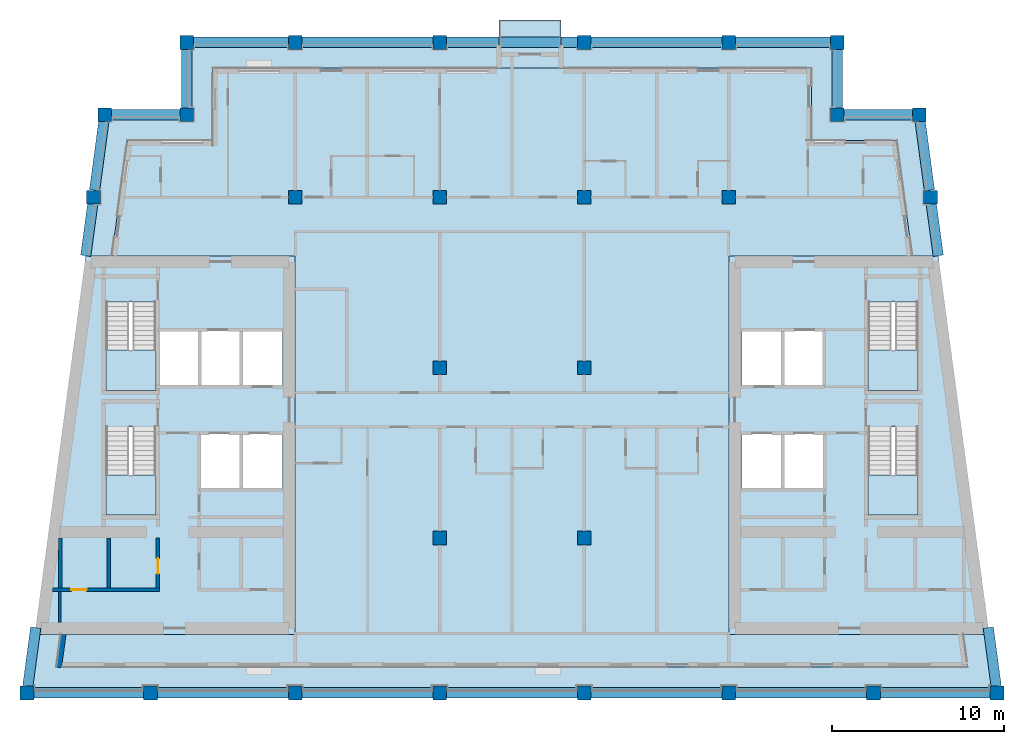
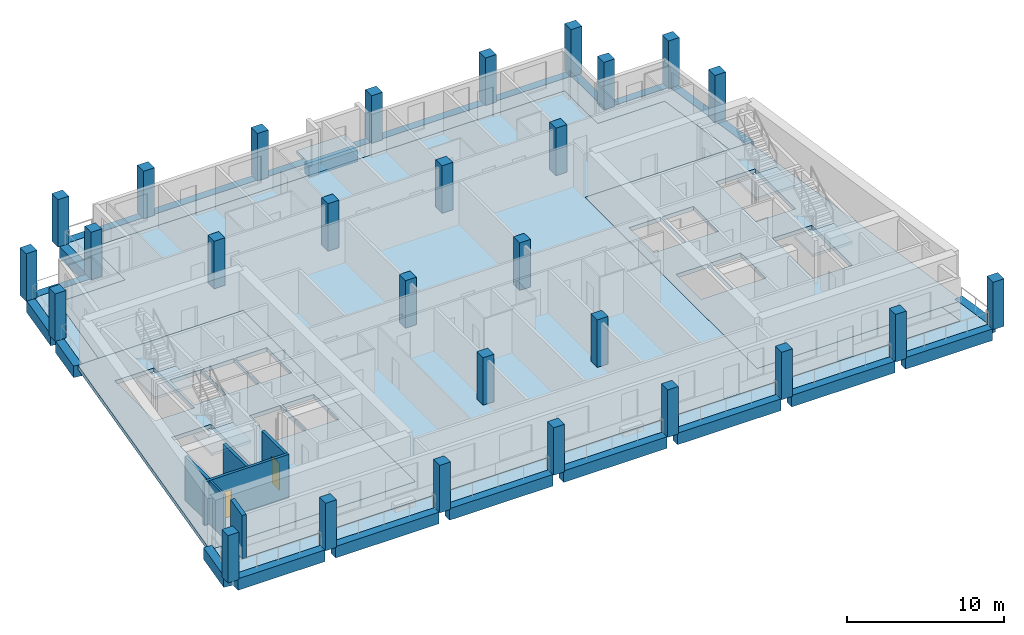
# One storey, part 1 of 13: 28 columns, 24 beams, 10 slabs, 6 walls, 2 doors, 2 openings, 4 elements without a shape of their own.
"""IFC4 building model written with IfcOpenShell, lengths in metres."""

from ifc_helpers import new_model, si_unit, direction, frame, frame_2d, origin, origin_2d, place, context, subcontext, project, spatial, polyline, rectangle, outline, extrude, material, layer, layer_set, material_profile, profile_set, type_object, element, fill, aggregate, save


model = new_model("IFC4")

# Units and contexts
model_context = context("Model", 3, precision=1e-05, world=origin(), true_north=direction((0.0, 1.0)))
body_context = subcontext(model_context, "Body", "Model", "MODEL_VIEW")
ifc_project = project(units=[si_unit("LENGTHUNIT", "METRE"), si_unit("AREAUNIT", "SQUARE_METRE"), si_unit("VOLUMEUNIT", "CUBIC_METRE"), si_unit("PLANEANGLEUNIT", "RADIAN"), si_unit("MASSUNIT", "GRAM", prefix="KILO")], contexts=[model_context])

# Site, building, storey
site_placement = place(None, origin())
site = spatial("IfcSite", under=ifc_project, at=site_placement, CompositionType="ELEMENT")
building_placement = place(site_placement, origin())
building = spatial("IfcBuilding", under=site, at=building_placement, Name="Candeia Pilgrim Tower and Theatre", CompositionType="ELEMENT")
storey_placement = place(building_placement, frame((0.0, 0.0, 270.10009765625)))
storey = spatial("IfcBuildingStorey", under=building, at=storey_placement, Name="L65", CompositionType="ELEMENT", Elevation=270.10009765625)

# Columns
ifc_material_1 = material(Name="Concrete C40/50", Category="concrete")
ifc_material_profile_1 = material_profile(ifc_material_1, rectangle(XDim=0.800048828125, YDim=0.800048828125, at=origin_2d()))
ifc_profile_set_1 = profile_set([ifc_material_profile_1], Name="Concrete C40/50")
column_type = type_object("IfcColumnType", Name="RC 800x800 C40/50", PredefinedType="COLUMN", material=ifc_profile_set_1)
for number, where, z_axis, x_axis, name in (
    (1, (94.5, 140.60009765625, 0.0), (0.0, 0.0, 1.0), (1.0, 0.0, 0.0), "Column NNW"),
    (2, (132.300048828125, 140.60009765625, 0.0), (0.0, 0.0, 1.0), (1.0, 0.0, 0.0), "Column NNE"),
    (3, (89.734619140625, 140.60009765625, 0.0), (0.0, 0.0, 1.0), (1.0, 0.0, 0.0), "Column LNW"),
    (4, (137.0654296875, 140.60009765625, 0.0), (0.0, 0.0, 1.0), (1.0, 0.0, 0.0), "Column LNE"),
    (5, (92.39990234375, 107.0, 0.0), (0.0, 0.0, 1.0), (1.0, 0.0, 0.0), "Column B1"),
    (6, (100.800048828125, 107.0, 0.0), (0.0, 0.0, 1.0), (1.0, 0.0, 0.0), "Column B2"),
    (7, (109.199951171875, 107.0, 0.0), (0.0, 0.0, 1.0), (1.0, 0.0, 0.0), "Column B3"),
    (8, (117.60009765625, 107.0, 0.0), (0.0, 0.0, 1.0), (1.0, 0.0, 0.0), "Column B4"),
    (9, (126.0, 107.0, 0.0), (0.0, 0.0, 1.0), (1.0, 0.0, 0.0), "Column B5"),
    (10, (134.39990234375, 107.0, 0.0), (0.0, 0.0, 1.0), (1.0, 0.0, 0.0), "Column B6"),
    (11, (85.21142578125, 107.0, 0.0), (0.0, 0.0, 1.0), (1.0, 0.0, 0.0), "Column BW"),
    (12, (141.58837890625, 107.0, 0.0), (0.0, 0.0, 1.0), (1.0, 0.0, 0.0), "Column BE"),
    (13, (109.199951171875, 116.0, 0.0), (0.0, 0.0, 1.0), (1.0, 0.0, 0.0), "Column C3"),
    (14, (117.60009765625, 116.0, 0.0), (0.0, 0.0, 1.0), (1.0, 0.0, 0.0), "Column C4"),
    (15, (109.199951171875, 125.89990234375, 0.0), (0.0, 0.0, 1.0), (1.0, 0.0, 0.0), "Column D3"),
    (16, (117.60009765625, 125.89990234375, 0.0), (0.0, 0.0, 1.0), (1.0, 0.0, 0.0), "Column D4"),
    (17, (100.800048828125, 135.800048828125, 0.0), (0.0, 0.0, 1.0), (1.0, 0.0, 0.0), "Column E2"),
    (18, (109.199951171875, 135.800048828125, 0.0), (0.0, 0.0, 1.0), (1.0, 0.0, 0.0), "Column E3"),
    (19, (117.60009765625, 135.800048828125, 0.0), (0.0, 0.0, 1.0), (1.0, 0.0, 0.0), "Column E4"),
    (20, (126.0, 135.800048828125, 0.0), (0.0, 0.0, 1.0), (1.0, 0.0, 0.0), "Column E5"),
    (21, (89.08837890625, 135.800048828125, 0.0), (0.0, 0.0, 1.0), (1.0, 0.0, 0.0), "Column EW"),
    (22, (137.71142578125, 135.800048828125, 0.0), (0.0, 0.0, 1.0), (1.0, 0.0, 0.0), "Column EE"),
    (23, (100.800048828125, 144.800048828125, 0.0), (0.0, 0.0, 1.0), (1.0, 0.0, 0.0), "Column F2"),
    (24, (109.199951171875, 144.800048828125, 0.0), (0.0, 0.0, 1.0), (1.0, 0.0, 0.0), "Column F3"),
    (25, (117.60009765625, 144.800048828125, 0.0), (0.0, 0.0, 1.0), (1.0, 0.0, 0.0), "Column F4"),
    (26, (126.0, 144.800048828125, 0.0), (0.0, 0.0, 1.0), (1.0, 0.0, 0.0), "Column F5"),
    (27, (94.5, 144.800048828125, 0.0), (0.0, 0.0, 1.0), (1.0, 0.0, 0.0), "Column FW"),
    (28, (132.300048828125, 144.800048828125, 0.0), (0.0, 0.0, 1.0), (1.0, 0.0, 0.0), "Column FE"),
):
    element("IfcColumn", number, at=place(storey_placement, frame(where, z_axis=z_axis, x_axis=x_axis)), inside=storey, type_object=column_type, Name=name, PredefinedType="COLUMN", context=body_context, shape_type="SweptSolid", body=[
        extrude(rectangle(XDim=0.800048828125, YDim=0.800048828125, at=origin_2d()), origin(), (0.0, 0.0, 1.0), 3.699951171875),
    ])

# Beams
ifc_material_profile_2 = material_profile(ifc_material_1, rectangle(XDim=0.60009765625, YDim=0.89990234375, at=origin_2d()))
ifc_profile_set_2 = profile_set([ifc_material_profile_2], Name="Concrete C40/50")
beam_type = type_object("IfcBeamType", Name="RC 600x900 C40/50", PredefinedType="BEAM", material=ifc_profile_set_2)
beam_1_placement = place(storey_placement, frame((90.134521484375, 140.60009765625, -0.4501953125), z_axis=(1.0, 0.0, 0.0), x_axis=(0.0, 1.0, 0.0)))
element("IfcBeam", 29, at=beam_1_placement, inside=storey, type_object=beam_type, Name="Spandrel beam L65-01", PredefinedType="BEAM", context=body_context, shape_type="SweptSolid", body=[
    extrude(rectangle(XDim=0.60009765625, YDim=0.89990234375, at=origin_2d()), origin(), (0.0, 0.0, 1.0), 3.965576171875),
])
beam_2_placement = place(storey_placement, frame((94.5, 141.0, -0.4501953125), z_axis=(0.0, 1.0, 0.0), x_axis=(-1.0, 0.0, 0.0)))
element("IfcBeam", 30, at=beam_2_placement, inside=storey, type_object=beam_type, Name="Spandrel beam L65-02", PredefinedType="BEAM", context=body_context, shape_type="SweptSolid", body=[
    extrude(rectangle(XDim=0.60009765625, YDim=0.89990234375, at=origin_2d()), origin(), (0.0, 0.0, 1.0), 3.39990234375),
])
beam_3_placement = place(storey_placement, frame((94.89990234375, 144.800048828125, -0.4501953125), z_axis=(1.0, 0.0, 0.0), x_axis=(0.0, 1.0, 0.0)))
element("IfcBeam", 31, at=beam_3_placement, inside=storey, type_object=beam_type, Name="Spandrel beam L65-03", PredefinedType="BEAM", context=body_context, shape_type="SweptSolid", body=[
    extrude(rectangle(XDim=0.60009765625, YDim=0.89990234375, at=origin_2d()), origin(), (0.0, 0.0, 1.0), 5.5),
])
beam_4_placement = place(storey_placement, frame((101.199951171875, 144.800048828125, -0.4501953125), z_axis=(1.0, 0.0, 0.0), x_axis=(0.0, 1.0, 0.0)))
element("IfcBeam", 32, at=beam_4_placement, inside=storey, type_object=beam_type, Name="Spandrel beam L65-04", PredefinedType="BEAM", context=body_context, shape_type="SweptSolid", body=[
    extrude(rectangle(XDim=0.60009765625, YDim=0.89990234375, at=origin_2d()), origin(), (0.0, 0.0, 1.0), 7.60009765625),
])
beam_5_placement = place(storey_placement, frame((109.60009765625, 144.800048828125, -0.4501953125), z_axis=(1.0, 0.0, 0.0), x_axis=(0.0, 1.0, 0.0)))
element("IfcBeam", 33, at=beam_5_placement, inside=storey, type_object=beam_type, Name="Spandrel beam L65-05", PredefinedType="BEAM", context=body_context, shape_type="SweptSolid", body=[
    extrude(rectangle(XDim=0.60009765625, YDim=0.89990234375, at=origin_2d()), origin(), (0.0, 0.0, 1.0), 3.0498046875),
])
beam_6_placement = place(storey_placement, frame((112.64990234375, 144.800048828125, -0.7001953125), z_axis=(1.0, 0.0, 0.0), x_axis=(0.0, 1.0, 0.0)))
element("IfcBeam", 34, at=beam_6_placement, inside=storey, type_object=beam_type, Name="Spandrel beam L65-06", PredefinedType="BEAM", context=body_context, shape_type="SweptSolid", body=[
    extrude(rectangle(XDim=0.60009765625, YDim=0.89990234375, at=origin_2d()), origin(), (0.0, 0.0, 1.0), 3.60009765625),
])
beam_7_placement = place(storey_placement, frame((116.25, 144.800048828125, -0.4501953125), z_axis=(1.0, 0.0, 0.0), x_axis=(0.0, 1.0, 0.0)))
element("IfcBeam", 35, at=beam_7_placement, inside=storey, type_object=beam_type, Name="Spandrel beam L65-07", PredefinedType="BEAM", context=body_context, shape_type="SweptSolid", body=[
    extrude(rectangle(XDim=0.60009765625, YDim=0.89990234375, at=origin_2d()), origin(), (0.0, 0.0, 1.0), 0.949951171875),
])
beam_8_placement = place(storey_placement, frame((118.0, 144.800048828125, -0.4501953125), z_axis=(1.0, 0.0, 0.0), x_axis=(0.0, 1.0, 0.0)))
element("IfcBeam", 36, at=beam_8_placement, inside=storey, type_object=beam_type, Name="Spandrel beam L65-08", PredefinedType="BEAM", context=body_context, shape_type="SweptSolid", body=[
    extrude(rectangle(XDim=0.60009765625, YDim=0.89990234375, at=origin_2d()), origin(), (0.0, 0.0, 1.0), 7.60009765625),
])
beam_9_placement = place(storey_placement, frame((126.39990234375, 144.800048828125, -0.4501953125), z_axis=(1.0, 0.0, 0.0), x_axis=(0.0, 1.0, 0.0)))
element("IfcBeam", 37, at=beam_9_placement, inside=storey, type_object=beam_type, Name="Spandrel beam L65-09", PredefinedType="BEAM", context=body_context, shape_type="SweptSolid", body=[
    extrude(rectangle(XDim=0.60009765625, YDim=0.89990234375, at=origin_2d()), origin(), (0.0, 0.0, 1.0), 5.5),
])
beam_10_placement = place(storey_placement, frame((132.300048828125, 144.39990234375, -0.4501953125), z_axis=(0.0, -1.0, 0.0), x_axis=(1.0, 0.0, 0.0)))
element("IfcBeam", 38, at=beam_10_placement, inside=storey, type_object=beam_type, Name="Spandrel beam L65-10", PredefinedType="BEAM", context=body_context, shape_type="SweptSolid", body=[
    extrude(rectangle(XDim=0.60009765625, YDim=0.89990234375, at=origin_2d()), origin(), (0.0, 0.0, 1.0), 3.39990234375),
])
beam_11_placement = place(storey_placement, frame((132.699951171875, 140.60009765625, -0.4501953125), z_axis=(1.0, 0.0, 0.0), x_axis=(0.0, 1.0, 0.0)))
element("IfcBeam", 39, at=beam_11_placement, inside=storey, type_object=beam_type, Name="Spandrel beam L65-11", PredefinedType="BEAM", context=body_context, shape_type="SweptSolid", body=[
    extrude(rectangle(XDim=0.60009765625, YDim=0.89990234375, at=origin_2d()), origin(), (0.0, 0.0, 1.0), 3.96533203125),
])
beam_12_placement = place(storey_placement, frame((137.119140625, 140.199951171875, -0.4501953125), z_axis=(0.133439433328, -0.991056969923, 0.0), x_axis=(0.991056969923, 0.133439433328, 0.0)))
element("IfcBeam", 40, at=beam_12_placement, inside=storey, type_object=beam_type, Name="Spandrel beam L65-12", PredefinedType="BEAM", context=body_context, shape_type="SweptSolid", body=[
    extrude(rectangle(XDim=0.60009765625, YDim=0.89990234375, at=origin_2d()), origin(), (0.0, 0.0, 1.0), 4.0361328125),
])
beam_13_placement = place(storey_placement, frame((137.765380859375, 135.39990234375, -0.4501953125), z_axis=(0.133399824849, -0.991062302144, 0.0), x_axis=(0.991062302144, 0.133399824849, 0.0)))
element("IfcBeam", 41, at=beam_13_placement, inside=storey, type_object=beam_type, Name="Spandrel beam L65-13", PredefinedType="BEAM", context=body_context, shape_type="SweptSolid", body=[
    extrude(rectangle(XDim=0.60009765625, YDim=0.89990234375, at=origin_2d()), origin(), (0.0, 0.0, 1.0), 3.027099609375),
])
beam_14_placement = place(storey_placement, frame((141.077392578125, 110.796630859375, -0.4501953125), z_axis=(0.133418739522, -0.991059755991, 0.0), x_axis=(0.991059755991, 0.133418739522, 0.0)))
element("IfcBeam", 42, at=beam_14_placement, inside=storey, type_object=beam_type, Name="Spandrel beam L65-14", PredefinedType="BEAM", context=body_context, shape_type="SweptSolid", body=[
    extrude(rectangle(XDim=0.60009765625, YDim=0.89990234375, at=origin_2d()), origin(), (0.0, 0.0, 1.0), 3.427490234375),
])
beam_15_placement = place(storey_placement, frame((141.1884765625, 107.0, -0.4501953125), z_axis=(-1.0, 0.0, 0.0), x_axis=(0.0, -1.0, 0.0)))
element("IfcBeam", 43, at=beam_15_placement, inside=storey, type_object=beam_type, Name="Spandrel beam L65-15", PredefinedType="BEAM", context=body_context, shape_type="SweptSolid", body=[
    extrude(rectangle(XDim=0.60009765625, YDim=0.89990234375, at=origin_2d()), origin(), (0.0, 0.0, 1.0), 6.388427734375),
])
for number, where, z_axis, x_axis, name in (
    (44, (134.0, 107.0, -0.4501953125), (-1.0, 0.0, 0.0), (0.0, -1.0, 0.0), "Spandrel beam L65-16"),
    (45, (125.60009765625, 107.0, -0.4501953125), (-1.0, 0.0, 0.0), (0.0, -1.0, 0.0), "Spandrel beam L65-17"),
):
    element("IfcBeam", number, at=place(storey_placement, frame(where, z_axis=z_axis, x_axis=x_axis)), inside=storey, type_object=beam_type, Name=name, PredefinedType="BEAM", context=body_context, shape_type="SweptSolid", body=[
        extrude(rectangle(XDim=0.60009765625, YDim=0.89990234375, at=origin_2d()), origin(), (0.0, 0.0, 1.0), 7.60009765625),
    ])
beam_16_placement = place(storey_placement, frame((117.199951171875, 107.0, -0.4501953125), z_axis=(-1.0, 0.0, 0.0), x_axis=(0.0, -1.0, 0.0)))
element("IfcBeam", 46, at=beam_16_placement, inside=storey, type_object=beam_type, Name="Spandrel beam L65-18", PredefinedType="BEAM", context=body_context, shape_type="SweptSolid", body=[
    extrude(rectangle(XDim=0.60009765625, YDim=0.89990234375, at=origin_2d()), origin(), (0.0, 0.0, 1.0), 7.599853515625),
])
beam_17_placement = place(storey_placement, frame((108.800048828125, 107.0, -0.4501953125), z_axis=(-1.0, 0.0, 0.0), x_axis=(0.0, -1.0, 0.0)))
element("IfcBeam", 47, at=beam_17_placement, inside=storey, type_object=beam_type, Name="Spandrel beam L65-19", PredefinedType="BEAM", context=body_context, shape_type="SweptSolid", body=[
    extrude(rectangle(XDim=0.60009765625, YDim=0.89990234375, at=origin_2d()), origin(), (0.0, 0.0, 1.0), 7.60009765625),
])
beam_18_placement = place(storey_placement, frame((100.39990234375, 107.0, -0.4501953125), z_axis=(-1.0, 0.0, 0.0), x_axis=(0.0, -1.0, 0.0)))
element("IfcBeam", 48, at=beam_18_placement, inside=storey, type_object=beam_type, Name="Spandrel beam L65-20", PredefinedType="BEAM", context=body_context, shape_type="SweptSolid", body=[
    extrude(rectangle(XDim=0.60009765625, YDim=0.89990234375, at=origin_2d()), origin(), (0.0, 0.0, 1.0), 7.599853515625),
])
beam_19_placement = place(storey_placement, frame((92.0, 107.0, -0.4501953125), z_axis=(-1.0, 0.0, 0.0), x_axis=(0.0, -1.0, 0.0)))
element("IfcBeam", 49, at=beam_19_placement, inside=storey, type_object=beam_type, Name="Spandrel beam L65-21", PredefinedType="BEAM", context=body_context, shape_type="SweptSolid", body=[
    extrude(rectangle(XDim=0.60009765625, YDim=0.89990234375, at=origin_2d()), origin(), (0.0, 0.0, 1.0), 6.388427734375),
])
beam_20_placement = place(storey_placement, frame((85.265380859375, 107.39990234375, -0.4501953125), z_axis=(0.133418739522, 0.991059755991, 0.0), x_axis=(-0.991059755991, 0.133418739522, 0.0)))
element("IfcBeam", 50, at=beam_20_placement, inside=storey, type_object=beam_type, Name="Spandrel beam L65-22", PredefinedType="BEAM", context=body_context, shape_type="SweptSolid", body=[
    extrude(rectangle(XDim=0.60009765625, YDim=0.89990234375, at=origin_2d()), origin(), (0.0, 0.0, 1.0), 3.427490234375),
])
beam_21_placement = place(storey_placement, frame((88.630859375, 132.39990234375, -0.4501953125), z_axis=(0.133399824849, 0.991062302144, 0.0), x_axis=(-0.991062302144, 0.133399824849, 0.0)))
element("IfcBeam", 51, at=beam_21_placement, inside=storey, type_object=beam_type, Name="Spandrel beam L65-23", PredefinedType="BEAM", context=body_context, shape_type="SweptSolid", body=[
    extrude(rectangle(XDim=0.60009765625, YDim=0.89990234375, at=origin_2d()), origin(), (0.0, 0.0, 1.0), 3.027099609375),
])
beam_22_placement = place(storey_placement, frame((89.142333984375, 136.199951171875, -0.4501953125), z_axis=(0.13338002037, 0.991064967682, 0.0), x_axis=(-0.991064967682, 0.13338002037, 0.0)))
element("IfcBeam", 52, at=beam_22_placement, inside=storey, type_object=beam_type, Name="Spandrel beam L65-24", PredefinedType="BEAM", context=body_context, shape_type="SweptSolid", body=[
    extrude(rectangle(XDim=0.60009765625, YDim=0.89990234375, at=origin_2d()), origin(), (0.0, 0.0, 1.0), 4.0361328125),
])

# Slabs
ifc_layer_1 = layer(ifc_material_1, 0.25)
ifc_layer_set_1 = layer_set([ifc_layer_1], Name="BK1 balcony slab 250")
slab_type_1 = type_object("IfcSlabType", Name="BK1 balcony slab 250", PredefinedType="USERDEFINED", material=ifc_layer_set_1)
slab_1_placement = place(storey_placement, frame((0.0, 0.0, -0.25)))
element("IfcSlab", 53, at=slab_1_placement, inside=storey, type_object=slab_type_1, Name="Balcony L65", ObjectType="BALCONY", PredefinedType="USERDEFINED", context=body_context, shape_type="SweptSolid", body=[
    extrude(outline(polyline([(112.64990234375, 144.5), (116.25, 144.5), (116.25, 146.10009765625), (112.64990234375, 146.10009765625), (112.64990234375, 144.5)])), origin(), (0.0, 0.0, 1.0), 0.25),
])
ifc_material_2 = material(Name="Concrete C60/75", Category="concrete")
ifc_layer_2 = layer(ifc_material_2, 0.320068359375)
ifc_layer_set_2 = layer_set([ifc_layer_2], Name="FS-CORE 320 core floor")
slab_type_2 = type_object("IfcSlabType", Name="FS-CORE 320 core floor", PredefinedType="FLOOR", material=ifc_layer_set_2)
slab_2_placement = place(storey_placement, frame((0.0, 0.0, -0.320068359375)))
element("IfcSlab", 54, at=slab_2_placement, inside=storey, type_object=slab_type_2, Name="Core floor W L65", PredefinedType="FLOOR", context=body_context, shape_type="SweptSolid", body=[
    extrude(outline(polyline([(100.800048828125, 132.39990234375), (100.800048828125, 110.39990234375), (85.669189453125, 110.39990234375), (88.630859375, 132.39990234375), (100.800048828125, 132.39990234375)]), holes=[polyline([(97.71337890625, 122.050048828125), (97.71337890625, 118.85009765625), (100.050048828125, 118.85009765625), (100.050048828125, 122.050048828125), (97.71337890625, 122.050048828125)]), polyline([(97.7255859375, 128.050048828125), (97.7255859375, 124.85009765625), (100.050048828125, 124.85009765625), (100.050048828125, 128.050048828125), (97.7255859375, 128.050048828125)]), polyline([(95.30126953125, 128.050048828125), (95.30126953125, 124.85009765625), (97.625732421875, 124.85009765625), (97.625732421875, 128.050048828125), (95.30126953125, 128.050048828125)]), polyline([(95.277099609375, 122.050048828125), (95.277099609375, 118.85009765625), (97.613525390625, 118.85009765625), (97.613525390625, 122.050048828125), (95.277099609375, 122.050048828125)]), polyline([(92.876953125, 128.050048828125), (92.876953125, 124.85009765625), (95.201416015625, 124.85009765625), (95.201416015625, 128.050048828125), (92.876953125, 128.050048828125)]), polyline([(89.802001953125, 117.324951171875), (92.701904296875, 117.324951171875), (92.701904296875, 122.455078125), (89.802001953125, 122.455078125), (89.802001953125, 117.324951171875)]), polyline([(89.802001953125, 129.705078125), (89.802001953125, 124.574951171875), (92.701904296875, 124.574951171875), (92.701904296875, 129.705078125), (89.802001953125, 129.705078125)])]), origin(), (0.0, 0.0, 1.0), 0.320068359375),
])
slab_3_placement = place(storey_placement, frame((0.0, 0.0, -0.320068359375)))
element("IfcSlab", 55, at=slab_3_placement, inside=storey, type_object=slab_type_2, Name="Core floor E L65", PredefinedType="FLOOR", context=body_context, shape_type="SweptSolid", body=[
    extrude(outline(polyline([(138.169189453125, 132.39990234375), (141.130859375, 110.39990234375), (126.0, 110.39990234375), (126.0, 132.39990234375), (138.169189453125, 132.39990234375)]), holes=[polyline([(134.097900390625, 117.324951171875), (136.998046875, 117.324951171875), (136.998046875, 122.455078125), (134.097900390625, 122.455078125), (134.097900390625, 117.324951171875)]), polyline([(134.097900390625, 129.705078125), (134.097900390625, 124.574951171875), (136.998046875, 124.574951171875), (136.998046875, 129.705078125), (134.097900390625, 129.705078125)]), polyline([(131.52294921875, 122.050048828125), (129.1865234375, 122.050048828125), (129.1865234375, 118.85009765625), (131.52294921875, 118.85009765625), (131.52294921875, 122.050048828125)]), polyline([(131.498779296875, 128.050048828125), (129.17431640625, 128.050048828125), (129.17431640625, 124.85009765625), (131.498779296875, 124.85009765625), (131.498779296875, 128.050048828125)]), polyline([(129.08642578125, 122.050048828125), (126.75, 122.050048828125), (126.75, 118.85009765625), (129.08642578125, 118.85009765625), (129.08642578125, 122.050048828125)]), polyline([(126.75, 128.050048828125), (126.75, 124.85009765625), (129.07421875, 124.85009765625), (129.07421875, 128.050048828125), (126.75, 128.050048828125)])]), origin(), (0.0, 0.0, 1.0), 0.320068359375),
])
ifc_material_3 = material(Name="Concrete C50/60", Category="concrete")
ifc_layer_3 = layer(ifc_material_3, 0.320068359375)
ifc_layer_set_3 = layer_set([ifc_layer_3], Name="Floor slab 320 C50/60")
slab_type_3 = type_object("IfcSlabType", Name="Floor slab 320 C50/60", PredefinedType="FLOOR", material=ifc_layer_set_3)
slab_4_placement = place(storey_placement, frame((0.0, 0.0, -0.320068359375)))
element("IfcSlab", 56, at=slab_4_placement, inside=storey, type_object=slab_type_3, Name="Floor slab L65", PredefinedType="FLOOR", context=body_context, shape_type="SweptSolid", body=[
    extrude(outline(polyline([(96.0, 139.10009765625), (96.0, 143.300048828125), (130.800048828125, 143.300048828125), (130.800048828125, 139.10009765625), (135.753662109375, 139.10009765625), (136.65576171875, 132.39990234375), (126.0, 132.39990234375), (126.0, 110.39990234375), (139.6171875, 110.39990234375), (139.873046875, 108.5), (86.927001953125, 108.5), (87.182861328125, 110.39990234375), (100.800048828125, 110.39990234375), (100.800048828125, 132.39990234375), (90.144287109375, 132.39990234375), (91.046142578125, 139.10009765625), (96.0, 139.10009765625)])), origin(), (0.0, 0.0, 1.0), 0.320068359375),
])
ifc_layer_4 = layer(ifc_material_1, 0.25)
ifc_layer_set_4 = layer_set([ifc_layer_4], Name="Loggia slab 250 C40/50")
slab_type_4 = type_object("IfcSlabType", Name="Loggia slab 250 C40/50", PredefinedType="FLOOR", material=ifc_layer_set_4)
slab_5_placement = place(storey_placement, frame((0.0, 0.0, -0.25)))
element("IfcSlab", 57, at=slab_5_placement, inside=storey, type_object=slab_type_4, Name="Loggia slab L65 1", PredefinedType="FLOOR", context=body_context, shape_type="SweptSolid", body=[
    extrude(outline(polyline([(86.927001953125, 108.5), (139.873046875, 108.5), (139.6171875, 110.39990234375), (140.828125, 110.39990234375), (141.245361328125, 107.300048828125), (85.5546875, 107.300048828125), (85.971923828125, 110.39990234375), (87.182861328125, 110.39990234375), (86.927001953125, 108.5)])), origin(), (0.0, 0.0, 1.0), 0.25),
])
slab_6_placement = place(storey_placement, frame((0.0, 0.0, -0.25)))
element("IfcSlab", 58, at=slab_6_placement, inside=storey, type_object=slab_type_4, Name="Loggia slab L65 2", PredefinedType="FLOOR", context=body_context, shape_type="SweptSolid", body=[
    extrude(outline(polyline([(136.65576171875, 132.39990234375), (135.753662109375, 139.10009765625), (130.800048828125, 139.10009765625), (130.800048828125, 143.300048828125), (96.0, 143.300048828125), (96.0, 139.10009765625), (91.046142578125, 139.10009765625), (90.144287109375, 132.39990234375), (88.93359375, 132.39990234375), (89.996826171875, 140.300048828125), (94.800048828125, 140.300048828125), (94.800048828125, 144.5), (132.0, 144.5), (132.0, 140.300048828125), (136.802978515625, 140.300048828125), (137.866455078125, 132.39990234375), (136.65576171875, 132.39990234375)])), origin(), (0.0, 0.0, 1.0), 0.25),
])

# Stair, slab
stair_type = type_object("IfcStairType", Name="ST-TWR dog-leg escape stair", PredefinedType="HALF_TURN_STAIR", material=ifc_material_1)
stair_1_placement = place(storey_placement, origin())
stair_1 = element("IfcStair", 59, at=stair_1_placement, inside=storey, type_object=stair_type, Name="L65 Escape stair ST1", PredefinedType="HALF_TURN_STAIR")
ifc_layer_5 = layer(ifc_material_1, 0.199951171875)
ifc_layer_set_5 = layer_set([ifc_layer_5], Name="SL-LANDING stair landing")
slab_type_5 = type_object("IfcSlabType", Name="SL-LANDING stair landing", PredefinedType="LANDING", material=ifc_layer_set_5)
slab_7_placement = place(storey_placement, frame((0.0, 0.0, 1.64990234375)))
slab_7 = element("IfcSlab", 60, at=slab_7_placement, type_object=slab_type_5, Name="ST1 landing 1", PredefinedType="LANDING", context=body_context, shape_type="SweptSolid", body=[
    extrude(outline(polyline([(89.802001953125, 119.675048828125), (89.802001953125, 117.324951171875), (92.701904296875, 117.324951171875), (92.701904296875, 119.675048828125), (89.802001953125, 119.675048828125)])), origin(), (0.0, 0.0, 1.0), 0.199951171875),
])
aggregate(stair_1, [slab_7])

stair_2_placement = place(storey_placement, origin())
stair_2 = element("IfcStair", 61, at=stair_2_placement, inside=storey, type_object=stair_type, Name="L65 Escape stair ST2", PredefinedType="HALF_TURN_STAIR")
slab_8_placement = place(storey_placement, frame((0.0, 0.0, 1.64990234375)))
slab_8 = element("IfcSlab", 62, at=slab_8_placement, type_object=slab_type_5, Name="ST2 landing 1", PredefinedType="LANDING", context=body_context, shape_type="SweptSolid", body=[
    extrude(outline(polyline([(89.802001953125, 126.925048828125), (89.802001953125, 124.574951171875), (92.701904296875, 124.574951171875), (92.701904296875, 126.925048828125), (89.802001953125, 126.925048828125)])), origin(), (0.0, 0.0, 1.0), 0.199951171875),
])
aggregate(stair_2, [slab_8])

stair_3_placement = place(storey_placement, origin())
stair_3 = element("IfcStair", 63, at=stair_3_placement, inside=storey, type_object=stair_type, Name="L65 Escape stair ST3", PredefinedType="HALF_TURN_STAIR")
slab_9_placement = place(storey_placement, frame((0.0, 0.0, 1.64990234375)))
slab_9 = element("IfcSlab", 64, at=slab_9_placement, type_object=slab_type_5, Name="ST3 landing 1", PredefinedType="LANDING", context=body_context, shape_type="SweptSolid", body=[
    extrude(outline(polyline([(134.097900390625, 119.675048828125), (134.097900390625, 117.324951171875), (136.998046875, 117.324951171875), (136.998046875, 119.675048828125), (134.097900390625, 119.675048828125)])), origin(), (0.0, 0.0, 1.0), 0.199951171875),
])
aggregate(stair_3, [slab_9])

stair_4_placement = place(storey_placement, origin())
stair_4 = element("IfcStair", 65, at=stair_4_placement, inside=storey, type_object=stair_type, Name="L65 Escape stair ST4", PredefinedType="HALF_TURN_STAIR")
slab_10_placement = place(storey_placement, frame((0.0, 0.0, 1.64990234375)))
slab_10 = element("IfcSlab", 66, at=slab_10_placement, type_object=slab_type_5, Name="ST4 landing 1", PredefinedType="LANDING", context=body_context, shape_type="SweptSolid", body=[
    extrude(outline(polyline([(134.097900390625, 126.925048828125), (134.097900390625, 124.574951171875), (136.998046875, 124.574951171875), (136.998046875, 126.925048828125), (134.097900390625, 126.925048828125)])), origin(), (0.0, 0.0, 1.0), 0.199951171875),
])
aggregate(stair_4, [slab_10])

# Walls
ifc_material_4 = material(Name="Ceramic block masonry", Category="masonry")
ifc_layer_6 = layer(ifc_material_4, 0.300048828125)
ifc_layer_set_6 = layer_set([ifc_layer_6], Name="EW1 glazing-line wall 300")
wall_type_1 = type_object("IfcWallType", Name="EW1 glazing-line wall 300", PredefinedType="SOLIDWALL", material=ifc_layer_set_6)
wall_1_placement = place(storey_placement, frame((87.334228515625, 110.39990234375, 0.0), z_axis=(0.0, 0.0, 1.0), x_axis=(-0.13345962011, -0.991054251694, 0.0)))
element("IfcWall", 67, at=wall_1_placement, inside=storey, type_object=wall_type_1, Name="External wall L65-0.1", PredefinedType="SOLIDWALL", context=body_context, shape_type="SweptSolid", body=[
    extrude(rectangle(XDim=1.937255859375, YDim=0.300048828125, at=frame_2d((0.96875, 0.0))), origin(), (0.0, 0.0, 1.0), 3.3798828125),
])
ifc_material_5 = material(Name="Gypsum board partition on steel studs", Category="steel")
ifc_layer_7 = layer(ifc_material_5, 0.14990234375)
ifc_layer_set_7 = layer_set([ifc_layer_7], Name="PW-150 lobby wall")
wall_type_2 = type_object("IfcWallType", Name="PW-150 lobby wall", PredefinedType="PARTITIONING", material=ifc_layer_set_7)
wall_2_placement = place(storey_placement, frame((87.126953125, 111.10009765625, 0.0), z_axis=(0.0, 0.0, 1.0), x_axis=(0.0, 1.0, 0.0)))
element("IfcWall", 68, at=wall_2_placement, inside=storey, type_object=wall_type_2, Name="Lobby wall L65-046", PredefinedType="PARTITIONING", context=body_context, shape_type="SweptSolid", body=[
    extrude(rectangle(XDim=1.7998046875, YDim=0.14990234375, at=frame_2d((0.89990234375, 0.0))), origin(), (0.0, 0.0, 1.0), 3.3798828125),
])

# Wall, opening, door
ifc_layer_8 = layer(ifc_material_1, 0.199951171875)
ifc_layer_set_8 = layer_set([ifc_layer_8], Name="SW-200 shaft wall")
wall_type_3 = type_object("IfcWallType", Name="SW-200 shaft wall", PredefinedType="PARTITIONING", material=ifc_layer_set_8)
wall_3_placement = place(storey_placement, frame((86.695556640625, 113.0, 0.0), z_axis=(0.0, 0.0, 1.0), x_axis=(1.0, 0.0, 0.0)))
wall_3 = element("IfcWall", 69, at=wall_3_placement, inside=storey, type_object=wall_type_3, Name="Shaft wall L65-002", PredefinedType="PARTITIONING", context=body_context, shape_type="SweptSolid", body=[
    extrude(rectangle(XDim=6.2314453125, YDim=0.199951171875, at=frame_2d((3.11572265625, 0.0))), origin(), (0.0, 0.0, 1.0), 3.3798828125),
])
opening_1_placement = place(wall_3_placement, frame((1.094482421875, 0.0, 0.0)))
opening_1 = element("IfcOpeningElement", 70, at=opening_1_placement, cuts=wall_3, Name="Opening L65-D005", PredefinedType="OPENING", context=body_context, shape_type="SweptSolid", body=[
    extrude(rectangle(XDim=0.89990234375, YDim=2.10009765625, at=frame_2d((0.449951171875, 1.050048828125))), frame((0.0, 0.10986328125, 0.0), z_axis=(0.0, -1.0, 0.0), x_axis=(1.0, 0.0, 0.0)), (0.0, 0.0, 1.0), 0.219970703125),
])
ifc_material_6 = material(Name="Steel fire door set", Category="steel")
door_type = type_object("IfcDoorType", Name="D-900-FD60", OperationType="NOTDEFINED", PredefinedType="DOOR", material=ifc_material_6)
door_1_placement = place(opening_1_placement, origin())
door_1 = element("IfcDoor", 71, at=door_1_placement, inside=storey, type_object=door_type, Name="Door L65-D005", OperationType="SINGLE_SWING_RIGHT", OverallHeight=2.10009765625, OverallWidth=0.89990234375, PredefinedType="DOOR", context=body_context, shape_type="SweptSolid", body=[
    extrude(rectangle(XDim=0.89990234375, YDim=2.10009765625, at=frame_2d((0.449951171875, 1.050048828125))), frame((0.0, 0.02490234375, 0.0), z_axis=(0.0, -1.0, 0.0), x_axis=(1.0, 0.0, 0.0)), (0.0, 0.0, 1.0), 0.050048828125),
])
fill(opening_1, door_1)

# Walls
for number, where, z_axis, x_axis, name in (
    (72, (87.1484375, 113.10009765625, 0.0), (0.0, 0.0, 1.0), (0.0, 1.0, 0.0), "Shaft wall L65-045"),
    (73, (89.97705078125, 113.10009765625, 0.0), (0.0, 0.0, 1.0), (0.0, 1.0, 0.0), "Shaft wall L65-049"),
):
    element("IfcWall", number, at=place(storey_placement, frame(where, z_axis=z_axis, x_axis=x_axis)), inside=storey, type_object=wall_type_3, Name=name, PredefinedType="PARTITIONING", context=body_context, shape_type="SweptSolid", body=[
        extrude(rectangle(XDim=2.89990234375, YDim=0.199951171875, at=frame_2d((1.449951171875, 0.0))), origin(), (0.0, 0.0, 1.0), 3.3798828125),
    ])

# Wall, opening, door
wall_4_placement = place(storey_placement, frame((92.826904296875, 113.10009765625, 0.0), z_axis=(0.0, 0.0, 1.0), x_axis=(0.0, 1.0, 0.0)))
wall_4 = element("IfcWall", 74, at=wall_4_placement, inside=storey, type_object=wall_type_3, Name="Shaft wall L65-050", PredefinedType="PARTITIONING", context=body_context, shape_type="SweptSolid", body=[
    extrude(rectangle(XDim=2.89990234375, YDim=0.199951171875, at=frame_2d((1.449951171875, 0.0))), origin(), (0.0, 0.0, 1.0), 3.3798828125),
])
opening_2_placement = place(wall_4_placement, frame((0.81005859375, 0.0, 0.0)))
opening_2 = element("IfcOpeningElement", 75, at=opening_2_placement, cuts=wall_4, Name="Opening L65-D006", PredefinedType="OPENING", context=body_context, shape_type="SweptSolid", body=[
    extrude(rectangle(XDim=0.89990234375, YDim=2.10009765625, at=frame_2d((0.449951171875, 1.050048828125))), frame((0.0, 0.10986328125, 0.0), z_axis=(0.0, -1.0, 0.0), x_axis=(1.0, 0.0, 0.0)), (0.0, 0.0, 1.0), 0.219970703125),
])
door_2_placement = place(opening_2_placement, origin())
door_2 = element("IfcDoor", 76, at=door_2_placement, inside=storey, type_object=door_type, Name="Door L65-D006", OperationType="SINGLE_SWING_LEFT", OverallHeight=2.10009765625, OverallWidth=0.89990234375, PredefinedType="DOOR", context=body_context, shape_type="SweptSolid", body=[
    extrude(rectangle(XDim=0.89990234375, YDim=2.10009765625, at=frame_2d((0.449951171875, 1.050048828125))), frame((0.0, 0.02490234375, 0.0), z_axis=(0.0, -1.0, 0.0), x_axis=(1.0, 0.0, 0.0)), (0.0, 0.0, 1.0), 0.050048828125),
])
fill(opening_2, door_2)

save(model, "model.ifc")
